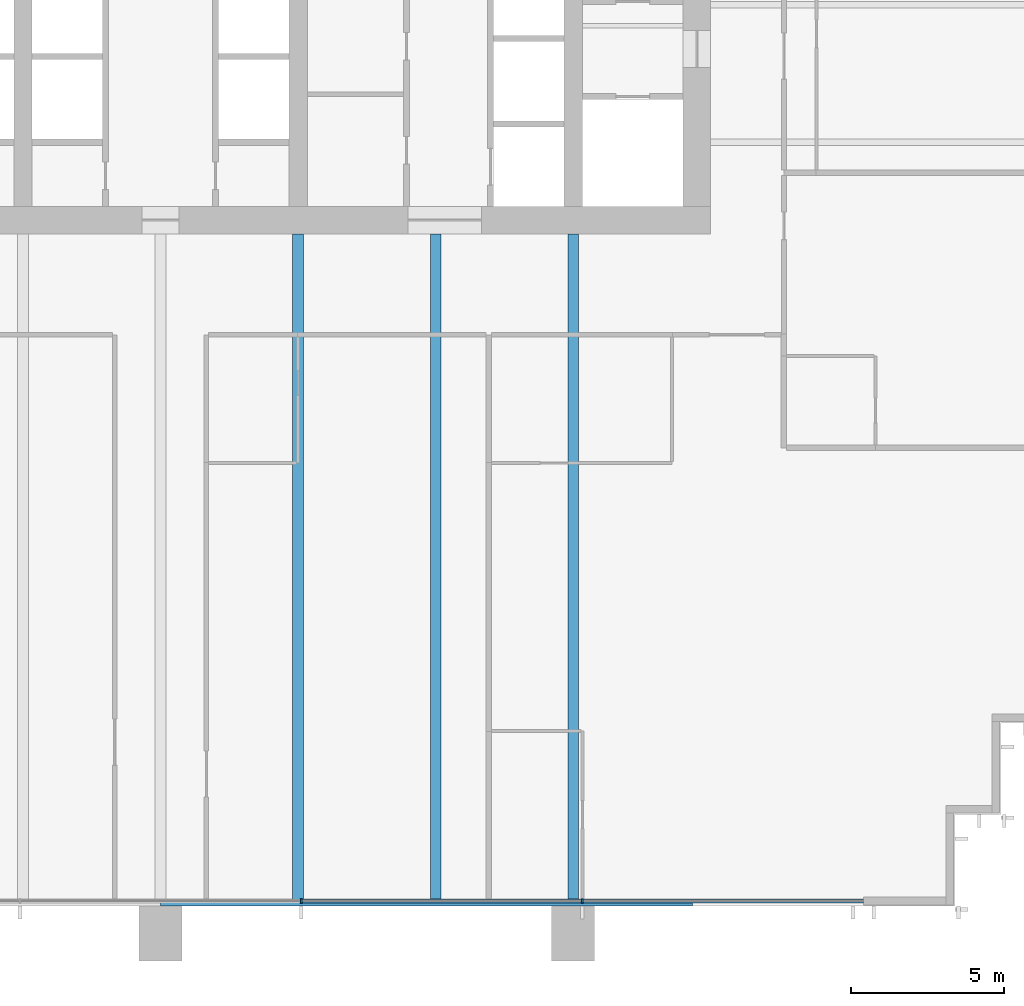
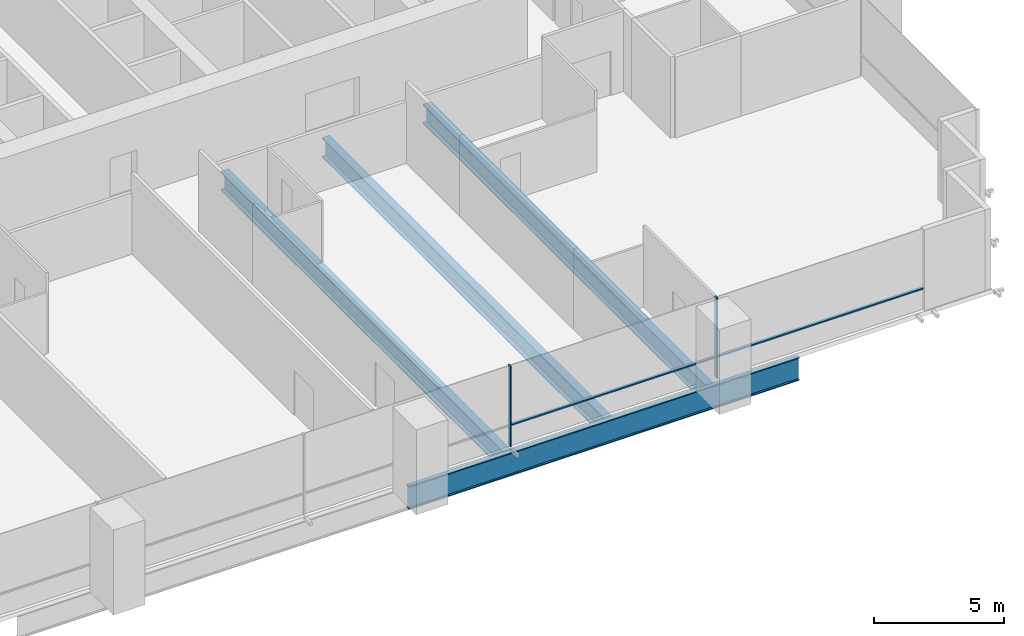
# One storey, part 5 of 14: 4 beams, 4 members, 1 element without a shape of its own.
"""IFC4 building model written with IfcOpenShell, lengths in metres."""

from ifc_helpers import new_model, si_unit, direction, frame, origin, origin_2d, place, context, subcontext, project, spatial, rectangle, i_section, extrude, material, material_profile, profile_set, type_object, element, aggregate, save


model = new_model("IFC4")

# Units and contexts
model_context = context("Model", 3, precision=1e-05, world=origin(), true_north=direction((0.0, 1.0)))
body_context = subcontext(model_context, "Body", "Model", "MODEL_VIEW")
ifc_project = project(units=[si_unit("LENGTHUNIT", "METRE"), si_unit("AREAUNIT", "SQUARE_METRE"), si_unit("VOLUMEUNIT", "CUBIC_METRE"), si_unit("PLANEANGLEUNIT", "RADIAN"), si_unit("MASSUNIT", "GRAM", prefix="KILO")], contexts=[model_context])

# Site, building, storey
site_placement = place(None, origin())
site = spatial("IfcSite", under=ifc_project, at=site_placement, CompositionType="ELEMENT")
building_placement = place(site_placement, origin())
building = spatial("IfcBuilding", under=site, at=building_placement, Name="Rattan Terrace Tower", CompositionType="ELEMENT")
storey_placement = place(building_placement, frame((0.0, 0.0, 154.10009765625)))
storey = spatial("IfcBuildingStorey", under=building, at=storey_placement, Name="L35", CompositionType="ELEMENT", Elevation=154.10009765625)

# Curtain wall, members
ifc_material_1 = material(Name="Aluminium and glass", Category="aluminium")
curtain_wall_type = type_object("IfcCurtainWallType", Name="Facade Unitised Curtain Wall", PredefinedType="NOTDEFINED", material=ifc_material_1)
curtain_wall_placement = place(storey_placement, origin())
curtain_wall = element("IfcCurtainWall", 1, at=curtain_wall_placement, inside=storey, type_object=curtain_wall_type, Name="Curtain wall L35-4", PredefinedType="NOTDEFINED")
ifc_material_2 = material(Name="Aluminium", Category="aluminium")
ifc_material_profile_1 = material_profile(ifc_material_2, rectangle(XDim=0.06005859375, YDim=0.159912109375, at=origin_2d()), Name="Aluminium 60x160")
ifc_profile_set_1 = profile_set([ifc_material_profile_1], Name="Aluminium")
member_type_1 = type_object("IfcMemberType", Name="Facade CW Mullion 60x160", PredefinedType="MULLION", material=ifc_profile_set_1)
member_1_placement = place(storey_placement, frame((4.60302734375, -29.330078125, 0.0), z_axis=(0.0, 0.0, 1.0), x_axis=(1.0, 0.0, 0.0)))
member_1 = element("IfcMember", 2, at=member_1_placement, type_object=member_type_1, Name="Mullion cwl-L35-004.4", PredefinedType="MULLION", context=body_context, shape_type="SweptSolid", body=[
    extrude(rectangle(XDim=0.06005859375, YDim=0.159912109375, at=origin_2d()), origin(), (0.0, 0.0, 1.0), 3.7998046875),
])
member_2_placement = place(storey_placement, frame((13.803955078125, -29.330078125, 0.0), z_axis=(0.0, 0.0, 1.0), x_axis=(1.0, 0.0, 0.0)))
member_2 = element("IfcMember", 3, at=member_2_placement, type_object=member_type_1, Name="Mullion cwl-L35-004.5", PredefinedType="MULLION", context=body_context, shape_type="SweptSolid", body=[
    extrude(rectangle(XDim=0.06005859375, YDim=0.159912109375, at=origin_2d()), origin(), (0.0, 0.0, 1.0), 3.7998046875),
])
ifc_material_3 = material(Name="Aluminium", Category="aluminium")
ifc_material_profile_2 = material_profile(ifc_material_3, rectangle(XDim=0.1201171875, YDim=0.06005859375, at=origin_2d()), Name="Aluminium 120x60")
ifc_profile_set_2 = profile_set([ifc_material_profile_2], Name="Aluminium")
member_type_2 = type_object("IfcMemberType", Name="Facade CW Transom 120x60", PredefinedType="USERDEFINED", material=ifc_profile_set_2)
member_3_placement = place(storey_placement, frame((4.633056640625, -29.330078125, 1.0), z_axis=(1.0, 0.0, 0.0), x_axis=(0.0, 1.0, 0.0)))
member_3 = element("IfcMember", 4, at=member_3_placement, type_object=member_type_2, Name="Transom cwl-L35-004.4", ObjectType="TRANSOM", PredefinedType="USERDEFINED", context=body_context, shape_type="SweptSolid", body=[
    extrude(rectangle(XDim=0.1201171875, YDim=0.06005859375, at=origin_2d()), origin(), (0.0, 0.0, 1.0), 9.140869140625),
])
member_4_placement = place(storey_placement, frame((13.833984375, -29.330078125, 1.0), z_axis=(1.0, 0.0, 0.0), x_axis=(0.0, 1.0, 0.0)))
member_4 = element("IfcMember", 5, at=member_4_placement, type_object=member_type_2, Name="Transom cwl-L35-004.5", ObjectType="TRANSOM", PredefinedType="USERDEFINED", context=body_context, shape_type="SweptSolid", body=[
    extrude(rectangle(XDim=0.1201171875, YDim=0.06005859375, at=origin_2d()), origin(), (0.0, 0.0, 1.0), 9.166015625),
])
aggregate(curtain_wall, [member_1, member_2, member_3, member_4])

# Beams
ifc_material_4 = material(Name="Steel S460", Category="steel")
ifc_material_profile_3 = material_profile(ifc_material_4, i_section(OverallWidth=0.179931640625, OverallDepth=1.10009765625, WebThickness=0.01611328125, FlangeThickness=0.050048828125, at=origin_2d()), Name="PG 1100x180-16-50")
ifc_profile_set_3 = profile_set([ifc_material_profile_3], Name="Steel S460")
beam_type_1 = type_object("IfcBeamType", Name="Frame edge girder PG 1100x180-16-50", PredefinedType="SPANDREL", material=ifc_profile_set_3)
beam_placement = place(storey_placement, frame((17.39990234375, -29.409912109375, -0.75), z_axis=(-1.0, 0.0, 0.0), x_axis=(0.0, -1.0, 0.0)))
element("IfcBeam", 6, at=beam_placement, inside=storey, type_object=beam_type_1, Name="gdr-L35-002", PredefinedType="SPANDREL", context=body_context, shape_type="SweptSolid", body=[
    extrude(i_section(OverallWidth=0.179931640625, OverallDepth=1.10009765625, WebThickness=0.01611328125, FlangeThickness=0.050048828125, at=origin_2d()), origin(), (0.0, 0.0, 1.0), 17.39990234375),
])
ifc_material_5 = material(Name="Steel S460", Category="steel")
ifc_material_profile_4 = material_profile(ifc_material_5, i_section(OverallWidth=0.35009765625, OverallDepth=0.89990234375, WebThickness=0.013916015625, FlangeThickness=0.0400390625, at=origin_2d()), Name="PG 900x350-14-40")
ifc_profile_set_4 = profile_set([ifc_material_profile_4], Name="Steel S460")
beam_type_2 = type_object("IfcBeamType", Name="Frame floor beam PG 900x350-14-40", PredefinedType="JOIST", material=ifc_profile_set_4)
for number, where, z_axis, x_axis, name in (
    (7, (4.5, -29.320068359375, -0.650146484375), (0.0, 1.0, 0.0), (-1.0, 0.0, 0.0), "bm-L35-007"),
    (8, (9.0, -29.320068359375, -0.650146484375), (0.0, 1.0, 0.0), (-1.0, 0.0, 0.0), "bm-L35-008"),
    (9, (13.5, -29.320068359375, -0.650146484375), (0.0, 1.0, 0.0), (-1.0, 0.0, 0.0), "bm-L35-009"),
):
    element("IfcBeam", number, at=place(storey_placement, frame(where, z_axis=z_axis, x_axis=x_axis)), inside=storey, type_object=beam_type_2, Name=name, PredefinedType="JOIST", context=body_context, shape_type="SweptSolid", body=[
        extrude(i_section(OverallWidth=0.35009765625, OverallDepth=0.89990234375, WebThickness=0.013916015625, FlangeThickness=0.0400390625, at=origin_2d()), origin(), (0.0, 0.0, 1.0), 21.820068359375),
    ])

save(model, "model.ifc")
